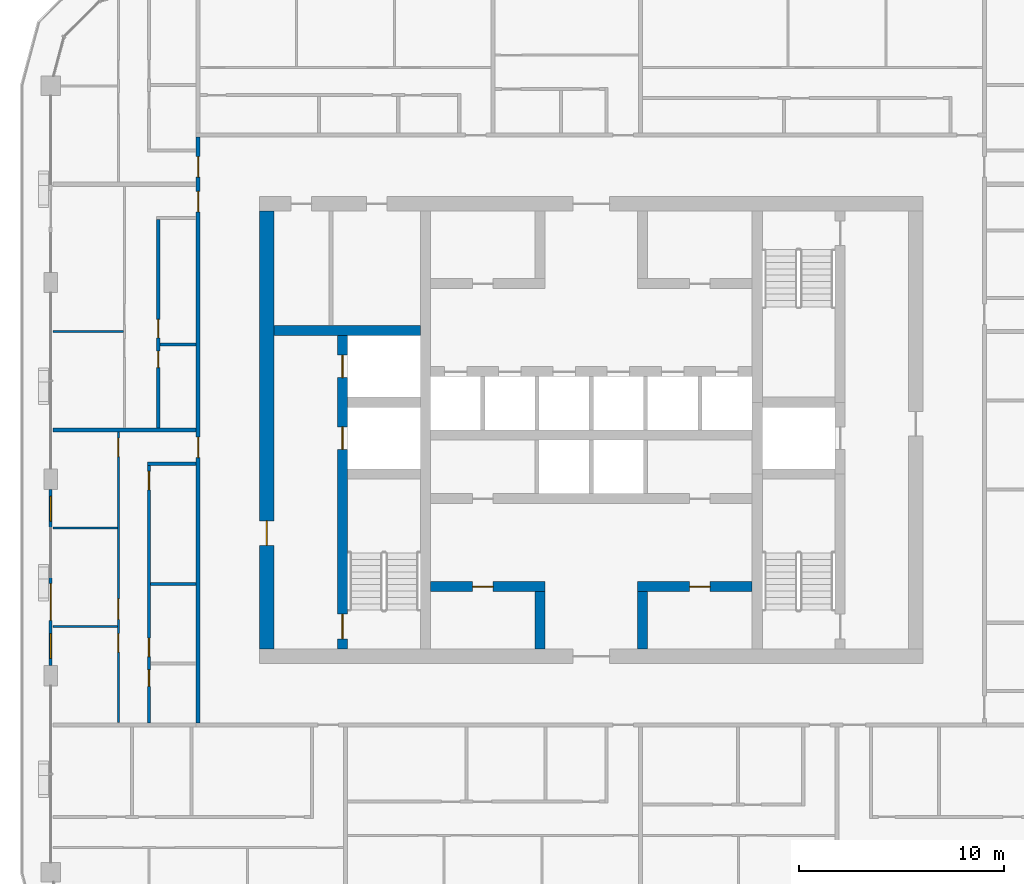
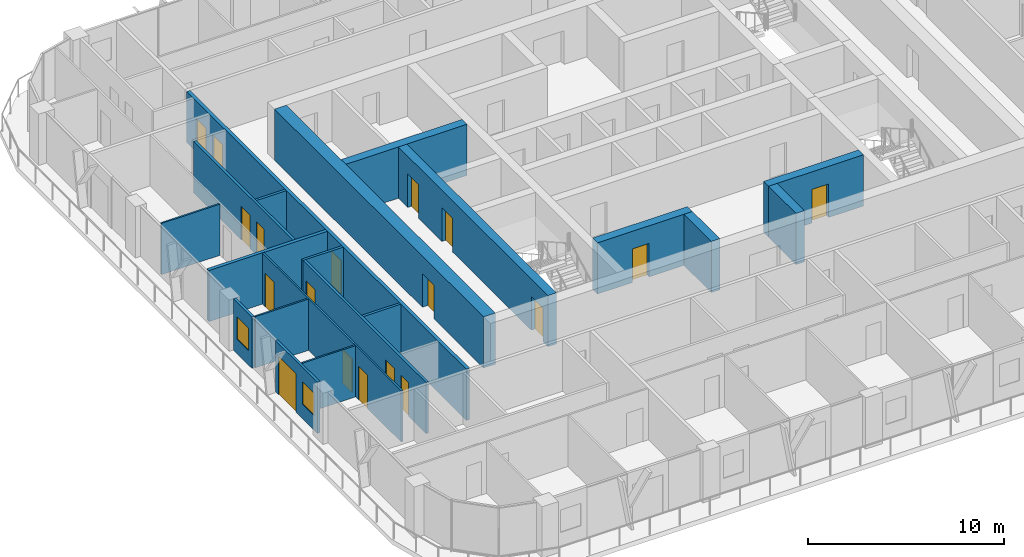
# One storey, part 10 of 21: 20 walls, 18 doors, 2 windows, 20 openings.
"""IFC4 building model written with IfcOpenShell, lengths in metres."""

import ifcopenshell
import ifcopenshell.guid

model = None  # the IFC model being written
_history = None  # IfcOwnerHistory: only IFC2X3 demands one
_inside = {}  # id of a spatial element -> (the spatial element, [elements in it])
_under = {}  # id of a project, library or spatial element -> (it, [spatial elements below it])
_declared = {}  # id of a project -> (the project, [libraries it declares])
_typed = {}  # id of a type object -> (the type object, [elements of that type])
_made_of = {}  # id of a material, layer set ... -> (it, [elements and type objects made of it])


def new_model(schema):
    """Start an empty IFC model of exactly this schema.

    Asked for "IFC4X3", IfcOpenShell would pick the latest addendum, in which some entities
    have other attributes; the version numbers below select the first issue.
    IFC2X3 requires an IfcOwnerHistory on every rooted entity: one is made here for all.
    """
    global model, _history
    if schema == "IFC4X3":
        model = ifcopenshell.file(schema_version=(4, 3, 0, 0))
    else:
        model = ifcopenshell.file(schema=schema)
    _inside.clear()
    _under.clear()
    _declared.clear()
    _typed.clear()
    _made_of.clear()
    _history = None
    if model.schema == "IFC2X3":
        org = make("IfcOrganization", Name="unknown")
        user = make(
            "IfcPersonAndOrganization",
            ThePerson=make("IfcPerson", FamilyName="unknown"),
            TheOrganization=org,
        )
        app = make(
            "IfcApplication",
            ApplicationDeveloper=org,
            Version="unknown",
            ApplicationFullName="unknown",
            ApplicationIdentifier="unknown",
        )
        _history = make(
            "IfcOwnerHistory",
            OwningUser=user,
            OwningApplication=app,
            ChangeAction="ADDED",
            CreationDate=0,
        )
    return model


def make(cls, **values):
    """One entity of the class cls with the attributes given. An attribute that is None is left unset."""
    return model.create_entity(
        cls, **{name: value for name, value in values.items() if value is not None}
    )


def rooted(cls, **values):
    """An entity with a GlobalId (a new one), such as an element, a storey or a relation."""
    return make(cls, GlobalId=ifcopenshell.guid.new(), OwnerHistory=_history, **values)


def si_unit(unit_type, name, prefix=None):
    """IfcSIUnit, for example si_unit("LENGTHUNIT", "METRE", prefix="MILLI")."""
    return make("IfcSIUnit", UnitType=unit_type, Prefix=prefix, Name=name)


def assignment(units):
    """IfcUnitAssignment: the units of a project."""
    return None if units is None else make("IfcUnitAssignment", Units=units)


def point(xyz):
    """IfcCartesianPoint."""
    return None if xyz is None else make("IfcCartesianPoint", Coordinates=xyz)


def direction(xyz):
    """IfcDirection."""
    return None if xyz is None else make("IfcDirection", DirectionRatios=xyz)


def frame(location, z_axis=None, x_axis=None):
    """IfcAxis2Placement3D, a coordinate frame: its origin and axes. An axis left out is left unset."""
    return make(
        "IfcAxis2Placement3D",
        Location=point(location),
        Axis=direction(z_axis),
        RefDirection=direction(x_axis),
    )


def frame_2d(location, x_axis=None):
    """IfcAxis2Placement2D, a coordinate frame in the plane: its origin and x axis."""
    return make(
        "IfcAxis2Placement2D", Location=point(location), RefDirection=direction(x_axis)
    )


def origin():
    """The frame at (0, 0, 0) with its axes left unset."""
    return frame((0.0, 0.0, 0.0))


def place(relative_to, where):
    """IfcLocalPlacement: puts the frame where relative to a parent placement (None: the world)."""
    return make(
        "IfcLocalPlacement", PlacementRelTo=relative_to, RelativePlacement=where
    )


def context(
    kind, dimensions, precision=None, world=None, true_north=None, identifier=None
):
    """IfcGeometricRepresentationContext, for example the 3D "Model" context."""
    return make(
        "IfcGeometricRepresentationContext",
        ContextIdentifier=identifier,
        ContextType=kind,
        CoordinateSpaceDimension=dimensions,
        Precision=precision,
        WorldCoordinateSystem=world,
        TrueNorth=true_north,
    )


def subcontext(parent, identifier, kind, view, scale=None):
    """IfcGeometricRepresentationSubContext, for example "Body" below "Model"."""
    return make(
        "IfcGeometricRepresentationSubContext",
        ContextIdentifier=identifier,
        ContextType=kind,
        ParentContext=parent,
        TargetScale=scale,
        TargetView=view,
    )


def project(units=None, contexts=None):
    """IfcProject with its units and contexts."""
    return rooted(
        "IfcProject",
        Name="project",
        RepresentationContexts=contexts,
        UnitsInContext=assignment(units),
    )


def spatial(cls, under=None, at=None, **own):
    """A site, building, storey or space (cls), placed at a placement, below another one or the project."""
    s = rooted(cls, ObjectPlacement=at, **own)
    if under is not None:
        _under.setdefault(under.id(), (under, []))[1].append(s)
    return s


def profile(cls, at=None, kind="AREA", **sizes):
    """A parametric profile (cls). Its sizes go by their IFC names, for example OverallWidth=200.0."""
    return make(cls, ProfileType=kind, Position=at, **sizes)


def rectangle(**sizes):
    """IfcRectangleProfileDef."""
    return profile("IfcRectangleProfileDef", **sizes)


def extrude(swept, where, along, depth):
    """IfcExtrudedAreaSolid: the profile swept, set in the frame where, extruded along a direction by depth."""
    return make(
        "IfcExtrudedAreaSolid",
        SweptArea=swept,
        Position=where,
        ExtrudedDirection=direction(along),
        Depth=depth,
    )


def shape(context_of_items, identifier, shape_type, items):
    """IfcShapeRepresentation: the items that make up one representation, for example the "Body"."""
    return make(
        "IfcShapeRepresentation",
        ContextOfItems=context_of_items,
        RepresentationIdentifier=identifier,
        RepresentationType=shape_type,
        Items=items,
    )


def material(Name=None, Category=None):
    """IfcMaterial."""
    return make("IfcMaterial", Name=Name, Category=Category)


def layer(
    of_material, thickness, ventilated=None, Name=None, Category=None, Priority=None
):
    """IfcMaterialLayer: one layer of a wall or slab, of a material (None: an air gap)."""
    return make(
        "IfcMaterialLayer",
        Material=of_material,
        LayerThickness=thickness,
        IsVentilated=ventilated,
        Name=Name,
        Category=Category,
        Priority=Priority,
    )


def layer_set(layers, Name=None):
    """IfcMaterialLayerSet."""
    return make("IfcMaterialLayerSet", MaterialLayers=layers, LayerSetName=Name)


def made_of(thing, what):
    """Note that an element or type object is made of a material, layer set ...; save() writes the relation."""
    if what is not None:
        _made_of.setdefault(what.id(), (what, []))[1].append(thing)
    return thing


def type_object(cls, material=None, **own):
    """A type object (cls), such as IfcWallType, which elements share."""
    return made_of(rooted(cls, **own), material)


def element(
    cls,
    number,
    at=None,
    inside=None,
    cuts=None,
    type_object=None,
    material=None,
    context=None,
    identifier="Body",
    shape_type=None,
    held_by="IfcProductDefinitionShape",
    body=None,
    shapes=None,
    **own,
):
    """One element of the class cls, such as IfcWall. Its Tag is "e" and its number.

    at: its placement. inside: the storey or other place that contains it. cuts: it is an
    opening in that element (IfcRelVoidsElement). A single representation is given by context,
    identifier, shape_type and body (its items); several are given by shapes. held_by: the class
    of the entity that holds the representations. save() writes the other relations.
    """
    e = rooted(cls, Tag="e%d" % number, ObjectPlacement=at, **own)
    if body is not None:
        shapes = [shape(context, identifier, shape_type, body)]
    if shapes is not None:
        e.Representation = make(held_by, Representations=shapes)
    if inside is not None:
        _inside.setdefault(inside.id(), (inside, []))[1].append(e)
    if cuts is not None:
        rooted(
            "IfcRelVoidsElement", RelatingBuildingElement=cuts, RelatedOpeningElement=e
        )
    if type_object is not None:
        _typed.setdefault(type_object.id(), (type_object, []))[1].append(e)
    return made_of(e, material)


def fill(opening, filler):
    """IfcRelFillsElement: the door or window that sits in an opening."""
    return rooted(
        "IfcRelFillsElement",
        RelatingOpeningElement=opening,
        RelatedBuildingElement=filler,
    )


def aggregate(whole, parts):
    """IfcRelAggregates: a whole, such as a stair, and the parts it consists of."""
    return rooted("IfcRelAggregates", RelatingObject=whole, RelatedObjects=parts)


def save(model, path):
    """Write the relations noted so far, then the file.

    IfcRelAggregates (storeys below a building ...), IfcRelContainedInSpatialStructure (elements
    in a storey), IfcRelDefinesByType, IfcRelAssociatesMaterial and IfcRelDeclares: one each for
    every whole, place, type object, material and project.
    """
    for whole, parts in _under.values():
        aggregate(whole, parts)
    for where, things in _inside.values():
        rooted(
            "IfcRelContainedInSpatialStructure",
            RelatedElements=things,
            RelatingStructure=where,
        )
    for kind, things in _typed.values():
        rooted("IfcRelDefinesByType", RelatedObjects=things, RelatingType=kind)
    for what, things in _made_of.values():
        rooted("IfcRelAssociatesMaterial", RelatedObjects=things, RelatingMaterial=what)
    for by, libraries in _declared.values():
        rooted("IfcRelDeclares", RelatingContext=by, RelatedDefinitions=libraries)
    model.write(path)


model = new_model("IFC4")

# Units and contexts
model_context = context("Model", 3, precision=1e-05, world=origin(), true_north=direction((0.0, 1.0)))
body_context = subcontext(model_context, "Body", "Model", "MODEL_VIEW")
ifc_project = project(units=[si_unit("LENGTHUNIT", "METRE"), si_unit("AREAUNIT", "SQUARE_METRE"), si_unit("VOLUMEUNIT", "CUBIC_METRE"), si_unit("PLANEANGLEUNIT", "RADIAN"), si_unit("MASSUNIT", "GRAM", prefix="KILO")], contexts=[model_context])

# Site, building, storey
site_placement = place(None, origin())
site = spatial("IfcSite", under=ifc_project, at=site_placement, CompositionType="ELEMENT")
building_placement = place(site_placement, origin())
building = spatial("IfcBuilding", under=site, at=building_placement, Name="Madar Terraces", CompositionType="ELEMENT")
storey_placement = place(building_placement, frame((0.0, 0.0, 185.89990234375)))
storey = spatial("IfcBuildingStorey", under=building, at=storey_placement, Name="L48", CompositionType="ELEMENT", Elevation=185.89990234375)

# Wall, openings, doors
ifc_material_1 = material(Name="Concrete C60/75", Category="concrete")
ifc_layer_1 = layer(ifc_material_1, 0.5)
ifc_layer_set_1 = layer_set([ifc_layer_1], Name="Concrete C60/75 (CIW4 RC wall 500)")
wall_type_1 = type_object("IfcWallType", Name="CIW4 RC wall 500", PredefinedType="SHEAR", material=ifc_layer_set_1)
wall_1_placement = place(storey_placement, frame((19.050048828125, 15.699951171875, 0.0), z_axis=(0.0, 0.0, 1.0), x_axis=(0.0, 1.0, 0.0)))
wall_1 = element("IfcWall", 1, at=wall_1_placement, inside=storey, type_object=wall_type_1, Name="CORE SHAFT WALL", PredefinedType="SHEAR", context=body_context, shape_type="SweptSolid", body=[
    extrude(rectangle(XDim=15.300048828125, YDim=0.5, at=frame_2d((7.64990234375, 0.0))), origin(), (0.0, 0.0, 1.0), 3.2001953125),
])
opening_1_placement = place(wall_1_placement, frame((9.75, 0.0, 0.0)))
opening_1 = element("IfcOpeningElement", 2, at=opening_1_placement, cuts=wall_1, Name="Opening LD", PredefinedType="OPENING", context=body_context, shape_type="SweptSolid", body=[
    extrude(rectangle(XDim=1.10009765625, YDim=2.10009765625, at=frame_2d((0.550048828125, 1.050048828125))), frame((0.0, 0.260009765625, 0.0), z_axis=(0.0, -1.0, 0.0), x_axis=(1.0, 0.0, 0.0)), (0.0, 0.0, 1.0), 0.52001953125),
])
opening_2_placement = place(wall_1_placement, frame((13.25, 0.0, 0.0)))
opening_2 = element("IfcOpeningElement", 3, at=opening_2_placement, cuts=wall_1, Name="Opening LD", PredefinedType="OPENING", context=body_context, shape_type="SweptSolid", body=[
    extrude(rectangle(XDim=1.10009765625, YDim=2.10009765625, at=frame_2d((0.550048828125, 1.050048828125))), frame((0.0, 0.260009765625, 0.0), z_axis=(0.0, -1.0, 0.0), x_axis=(1.0, 0.0, 0.0)), (0.0, 0.0, 1.0), 0.52001953125),
])
opening_3_placement = place(wall_1_placement, frame((0.5, 0.0, 0.0)))
opening_3 = element("IfcOpeningElement", 4, at=opening_3_placement, cuts=wall_1, Name="Opening SD1", PredefinedType="OPENING", context=body_context, shape_type="SweptSolid", body=[
    extrude(rectangle(XDim=1.199951171875, YDim=2.10009765625, at=frame_2d((0.60009765625, 1.050048828125))), frame((0.0, 0.260009765625, 0.0), z_axis=(0.0, -1.0, 0.0), x_axis=(1.0, 0.0, 0.0)), (0.0, 0.0, 1.0), 0.52001953125),
])
ifc_material_2 = material(Name="Stainless steel panel", Category="steel")
door_type_1 = type_object("IfcDoorType", Name="Lift landing door 1100 x 2100", OperationType="DOUBLE_DOOR_SLIDING", PredefinedType="DOOR", material=ifc_material_2)
door_1_placement = place(opening_1_placement, origin())
door_1 = element("IfcDoor", 5, at=door_1_placement, inside=storey, type_object=door_type_1, Name="LIFT LANDING DOOR", OperationType="DOUBLE_DOOR_SLIDING", OverallHeight=2.10009765625, OverallWidth=1.10009765625, PredefinedType="DOOR", context=body_context, shape_type="SweptSolid", body=[
    extrude(rectangle(XDim=1.10009765625, YDim=2.10009765625, at=frame_2d((0.550048828125, 1.050048828125))), frame((0.0, 0.02490234375, 0.0), z_axis=(0.0, -1.0, 0.0), x_axis=(1.0, 0.0, 0.0)), (0.0, 0.0, 1.0), 0.050048828125),
])
fill(opening_1, door_1)
door_2_placement = place(opening_2_placement, origin())
door_2 = element("IfcDoor", 6, at=door_2_placement, inside=storey, type_object=door_type_1, Name="LIFT LANDING DOOR", OperationType="DOUBLE_DOOR_SLIDING", OverallHeight=2.10009765625, OverallWidth=1.10009765625, PredefinedType="DOOR", context=body_context, shape_type="SweptSolid", body=[
    extrude(rectangle(XDim=1.10009765625, YDim=2.10009765625, at=frame_2d((0.550048828125, 1.050048828125))), frame((0.0, 0.02490234375, 0.0), z_axis=(0.0, -1.0, 0.0), x_axis=(1.0, 0.0, 0.0)), (0.0, 0.0, 1.0), 0.050048828125),
])
fill(opening_2, door_2)
ifc_material_3 = material(Name="Steel door leaf", Category="steel")
door_type_2 = type_object("IfcDoorType", Name="Stair door 1200 x 2100", OperationType="NOTDEFINED", PredefinedType="DOOR", material=ifc_material_3)
door_3_placement = place(opening_3_placement, frame((1.199951171875, 0.0, 0.0), z_axis=(0.0, 0.0, 1.0), x_axis=(-1.0, 0.0, 0.0)))
door_3 = element("IfcDoor", 7, at=door_3_placement, inside=storey, type_object=door_type_2, Name="STAIR DOOR", OperationType="SINGLE_SWING_RIGHT", OverallHeight=2.10009765625, OverallWidth=1.199951171875, PredefinedType="DOOR", context=body_context, shape_type="SweptSolid", body=[
    extrude(rectangle(XDim=1.199951171875, YDim=2.10009765625, at=frame_2d((0.60009765625, 1.050048828125))), frame((0.0, 0.02490234375, 0.0), z_axis=(0.0, -1.0, 0.0), x_axis=(1.0, 0.0, 0.0)), (0.0, 0.0, 1.0), 0.050048828125),
])
fill(opening_3, door_3)

# Wall
wall_2_placement = place(storey_placement, frame((15.699951171875, 31.25, 0.0), z_axis=(0.0, 0.0, 1.0), x_axis=(1.0, 0.0, 0.0)))
element("IfcWall", 8, at=wall_2_placement, inside=storey, type_object=wall_type_1, Name="CORE SHAFT WALL", PredefinedType="SHEAR", context=body_context, shape_type="SweptSolid", body=[
    extrude(rectangle(XDim=7.150146484375, YDim=0.5, at=frame_2d((3.5751953125, 0.0))), origin(), (0.0, 0.0, 1.0), 3.2001953125),
])

# Wall, opening, door
wall_3_placement = place(storey_placement, frame((23.35009765625, 18.75, 0.0), z_axis=(0.0, 0.0, 1.0), x_axis=(1.0, 0.0, 0.0)))
wall_3 = element("IfcWall", 9, at=wall_3_placement, inside=storey, type_object=wall_type_1, Name="CORE SHAFT WALL", PredefinedType="SHEAR", context=body_context, shape_type="SweptSolid", body=[
    extrude(rectangle(XDim=5.599853515625, YDim=0.5, at=frame_2d((2.7998046875, 0.0))), origin(), (0.0, 0.0, 1.0), 3.2001953125),
])
opening_4_placement = place(wall_3_placement, frame((2.050048828125, 0.0, 0.0)))
opening_4 = element("IfcOpeningElement", 10, at=opening_4_placement, cuts=wall_3, Name="Opening KD2", PredefinedType="OPENING", context=body_context, shape_type="SweptSolid", body=[
    extrude(rectangle(XDim=1.0, YDim=2.10009765625, at=frame_2d((0.5, 1.050048828125))), frame((0.0, 0.260009765625, 0.0), z_axis=(0.0, -1.0, 0.0), x_axis=(1.0, 0.0, 0.0)), (0.0, 0.0, 1.0), 0.52001953125),
])
ifc_material_4 = material(Name="Steel door leaf", Category="steel")
door_type_3 = type_object("IfcDoorType", Name="Service room door 1000 x 2100", OperationType="NOTDEFINED", PredefinedType="DOOR", material=ifc_material_4)
door_4_placement = place(opening_4_placement, origin())
door_4 = element("IfcDoor", 11, at=door_4_placement, inside=storey, type_object=door_type_3, Name="SERVICE ROOM DOOR", OperationType="SINGLE_SWING_LEFT", OverallHeight=2.10009765625, OverallWidth=1.0, PredefinedType="DOOR", context=body_context, shape_type="SweptSolid", body=[
    extrude(rectangle(XDim=1.0, YDim=2.10009765625, at=frame_2d((0.5, 1.050048828125))), frame((0.0, 0.02490234375, 0.0), z_axis=(0.0, -1.0, 0.0), x_axis=(1.0, 0.0, 0.0)), (0.0, 0.0, 1.0), 0.050048828125),
])
fill(opening_4, door_4)

wall_4_placement = place(storey_placement, frame((33.449951171875, 18.75, 0.0), z_axis=(0.0, 0.0, 1.0), x_axis=(1.0, 0.0, 0.0)))
wall_4 = element("IfcWall", 12, at=wall_4_placement, inside=storey, type_object=wall_type_1, Name="CORE SHAFT WALL", PredefinedType="SHEAR", context=body_context, shape_type="SweptSolid", body=[
    extrude(rectangle(XDim=5.60009765625, YDim=0.5, at=frame_2d((2.800048828125, 0.0))), origin(), (0.0, 0.0, 1.0), 3.2001953125),
])
opening_5_placement = place(wall_4_placement, frame((2.550048828125, 0.0, 0.0)))
opening_5 = element("IfcOpeningElement", 13, at=opening_5_placement, cuts=wall_4, Name="Opening KD2", PredefinedType="OPENING", context=body_context, shape_type="SweptSolid", body=[
    extrude(rectangle(XDim=1.0, YDim=2.10009765625, at=frame_2d((0.5, 1.050048828125))), frame((0.0, 0.260009765625, 0.0), z_axis=(0.0, -1.0, 0.0), x_axis=(1.0, 0.0, 0.0)), (0.0, 0.0, 1.0), 0.52001953125),
])
door_5_placement = place(opening_5_placement, origin())
door_5 = element("IfcDoor", 14, at=door_5_placement, inside=storey, type_object=door_type_3, Name="SERVICE ROOM DOOR", OperationType="SINGLE_SWING_RIGHT", OverallHeight=2.10009765625, OverallWidth=1.0, PredefinedType="DOOR", context=body_context, shape_type="SweptSolid", body=[
    extrude(rectangle(XDim=1.0, YDim=2.10009765625, at=frame_2d((0.5, 1.050048828125))), frame((0.0, 0.02490234375, 0.0), z_axis=(0.0, -1.0, 0.0), x_axis=(1.0, 0.0, 0.0)), (0.0, 0.0, 1.0), 0.050048828125),
])
fill(opening_5, door_5)

# Walls
for number, where, z_axis, x_axis, name in (
    (15, (28.699951171875, 15.699951171875, 0.0), (0.0, 0.0, 1.0), (0.0, 1.0, 0.0), "CORE SHAFT WALL"),
    (16, (33.699951171875, 15.699951171875, 0.0), (0.0, 0.0, 1.0), (0.0, 1.0, 0.0), "CORE SHAFT WALL"),
):
    element("IfcWall", number, at=place(storey_placement, frame(where, z_axis=z_axis, x_axis=x_axis)), inside=storey, type_object=wall_type_1, Name=name, PredefinedType="SHEAR", context=body_context, shape_type="SweptSolid", body=[
        extrude(rectangle(XDim=2.800048828125, YDim=0.5, at=frame_2d((1.39990234375, 0.0))), origin(), (0.0, 0.0, 1.0), 3.2001953125),
    ])

# Wall, opening, door
ifc_material_5 = material(Name="Concrete C60/75", Category="concrete")
ifc_layer_2 = layer(ifc_material_5, 0.699951171875)
ifc_layer_set_2 = layer_set([ifc_layer_2], Name="Concrete C60/75 (CRW4 RC wall 700)")
wall_type_2 = type_object("IfcWallType", Name="CRW4 RC wall 700", PredefinedType="SHEAR", material=ifc_layer_set_2)
wall_5_placement = place(storey_placement, frame((15.35009765625, 15.699951171875, 0.0), z_axis=(0.0, 0.0, 1.0), x_axis=(0.0, 1.0, 0.0)))
wall_5 = element("IfcWall", 17, at=wall_5_placement, inside=storey, type_object=wall_type_2, Name="CORE OUTER WALL", PredefinedType="SHEAR", context=body_context, shape_type="SweptSolid", body=[
    extrude(rectangle(XDim=21.400146484375, YDim=0.699951171875, at=frame_2d((10.7001953125, 0.0))), origin(), (0.0, 0.0, 1.0), 3.2001953125),
])
opening_6_placement = place(wall_5_placement, frame((5.06005859375, 0.0, 0.0)))
opening_6 = element("IfcOpeningElement", 18, at=opening_6_placement, cuts=wall_5, Name="Opening SD1", PredefinedType="OPENING", context=body_context, shape_type="SweptSolid", body=[
    extrude(rectangle(XDim=1.199951171875, YDim=2.10009765625, at=frame_2d((0.60009765625, 1.050048828125))), frame((0.0, 0.35986328125, 0.0), z_axis=(0.0, -1.0, 0.0), x_axis=(1.0, 0.0, 0.0)), (0.0, 0.0, 1.0), 0.719970703125),
])
door_6_placement = place(opening_6_placement, frame((1.199951171875, 0.0, 0.0), z_axis=(0.0, 0.0, 1.0), x_axis=(-1.0, 0.0, 0.0)))
door_6 = element("IfcDoor", 19, at=door_6_placement, inside=storey, type_object=door_type_2, Name="STAIR DOOR", OperationType="SINGLE_SWING_LEFT", OverallHeight=2.10009765625, OverallWidth=1.199951171875, PredefinedType="DOOR", context=body_context, shape_type="SweptSolid", body=[
    extrude(rectangle(XDim=1.199951171875, YDim=2.10009765625, at=frame_2d((0.60009765625, 1.050048828125))), frame((0.0, 0.02490234375, 0.0), z_axis=(0.0, -1.0, 0.0), x_axis=(1.0, 0.0, 0.0)), (0.0, 0.0, 1.0), 0.050048828125),
])
fill(opening_6, door_6)

# Wall, opening, window
ifc_material_6 = material(Name="Aluminium composite panel, black, over insulated backing", Category="aluminium")
ifc_layer_3 = layer(ifc_material_6, 0.14990234375)
ifc_layer_set_3 = layer_set([ifc_layer_3], Name="Facade bay panel 150")
wall_type_3 = type_object("IfcWallType", Name="Facade bay panel 150", PredefinedType="SOLIDWALL", material=ifc_layer_set_3)
wall_6_placement = place(storey_placement, frame((4.800048828125, 23.5, 0.0), z_axis=(0.0, 0.0, 1.0), x_axis=(0.0, -1.0, 0.0)))
wall_6 = element("IfcWall", 20, at=wall_6_placement, inside=storey, type_object=wall_type_3, Name="Facade bay panel", PredefinedType="SOLIDWALL", context=body_context, shape_type="SweptSolid", body=[
    extrude(rectangle(XDim=1.89990234375, YDim=0.14990234375, at=frame_2d((0.949951171875, 0.0))), origin(), (0.0, 0.0, 1.0), 3.2001953125),
])
opening_7_placement = place(wall_6_placement, frame((0.35009765625, 0.0, 0.89990234375)))
opening_7 = element("IfcOpeningElement", 21, at=opening_7_placement, cuts=wall_6, Name="Opening W1", PredefinedType="OPENING", context=body_context, shape_type="SweptSolid", body=[
    extrude(rectangle(XDim=1.199951171875, YDim=1.39990234375, at=frame_2d((0.60009765625, 0.699951171875))), frame((0.0, 0.0849609375, 0.0), z_axis=(0.0, -1.0, 0.0), x_axis=(1.0, 0.0, 0.0)), (0.0, 0.0, 1.0), 0.169921875),
])
ifc_material_7 = material(Name="Glass, clear, with black aluminium frame", Category="aluminium")
window_type = type_object("IfcWindowType", Name="Vent window 1200 x 1400", PartitioningType="SINGLE_PANEL", PredefinedType="WINDOW", material=ifc_material_7)
window_1_placement = place(opening_7_placement, origin())
window_1 = element("IfcWindow", 22, at=window_1_placement, inside=storey, type_object=window_type, Name="Operable vent window", OverallHeight=1.39990234375, OverallWidth=1.199951171875, PartitioningType="SINGLE_PANEL", PredefinedType="WINDOW", context=body_context, shape_type="SweptSolid", body=[
    extrude(rectangle(XDim=1.199951171875, YDim=1.39990234375, at=frame_2d((0.60009765625, 0.699951171875))), frame((0.0, 0.030029296875, 0.0), z_axis=(0.0, -1.0, 0.0), x_axis=(1.0, 0.0, 0.0)), (0.0, 0.0, 1.0), 0.06005859375),
])
fill(opening_7, window_1)

# Wall, openings, door, window
wall_7_placement = place(storey_placement, frame((4.800048828125, 19.199951171875, 0.0), z_axis=(0.0, 0.0, 1.0), x_axis=(0.0, -1.0, 0.0)))
wall_7 = element("IfcWall", 23, at=wall_7_placement, inside=storey, type_object=wall_type_3, Name="Facade bay panel", PredefinedType="SOLIDWALL", context=body_context, shape_type="SweptSolid", body=[
    extrude(rectangle(XDim=4.300048828125, YDim=0.14990234375, at=frame_2d((2.14990234375, 0.0))), origin(), (0.0, 0.0, 1.0), 3.2001953125),
])
opening_8_placement = place(wall_7_placement, frame((0.300048828125, 0.0, 0.0)))
opening_8 = element("IfcOpeningElement", 24, at=opening_8_placement, cuts=wall_7, Name="Opening ED1", PredefinedType="OPENING", context=body_context, shape_type="SweptSolid", body=[
    extrude(rectangle(XDim=1.800048828125, YDim=2.39990234375, at=frame_2d((0.89990234375, 1.199951171875))), frame((0.0, 0.0849609375, 0.0), z_axis=(0.0, -1.0, 0.0), x_axis=(1.0, 0.0, 0.0)), (0.0, 0.0, 1.0), 0.169921875),
])
opening_9_placement = place(wall_7_placement, frame((2.75, 0.0, 0.89990234375)))
opening_9 = element("IfcOpeningElement", 25, at=opening_9_placement, cuts=wall_7, Name="Opening W1", PredefinedType="OPENING", context=body_context, shape_type="SweptSolid", body=[
    extrude(rectangle(XDim=1.199951171875, YDim=1.39990234375, at=frame_2d((0.60009765625, 0.699951171875))), frame((0.0, 0.0849609375, 0.0), z_axis=(0.0, -1.0, 0.0), x_axis=(1.0, 0.0, 0.0)), (0.0, 0.0, 1.0), 0.169921875),
])
ifc_material_8 = material(Name="Glass, clear, with black aluminium frame", Category="aluminium")
door_type_4 = type_object("IfcDoorType", Name="Balcony and terrace sliding door 1800 x 2400", OperationType="SLIDING_TO_LEFT", PredefinedType="DOOR", material=ifc_material_8)
door_7_placement = place(opening_8_placement, origin())
door_7 = element("IfcDoor", 26, at=door_7_placement, inside=storey, type_object=door_type_4, Name="Balcony door", OperationType="SLIDING_TO_LEFT", OverallHeight=2.39990234375, OverallWidth=1.800048828125, PredefinedType="DOOR", context=body_context, shape_type="SweptSolid", body=[
    extrude(rectangle(XDim=1.800048828125, YDim=2.39990234375, at=frame_2d((0.89990234375, 1.199951171875))), frame((0.0, 0.02490234375, 0.0), z_axis=(0.0, -1.0, 0.0), x_axis=(1.0, 0.0, 0.0)), (0.0, 0.0, 1.0), 0.050048828125),
])
fill(opening_8, door_7)
window_2_placement = place(opening_9_placement, origin())
window_2 = element("IfcWindow", 27, at=window_2_placement, inside=storey, type_object=window_type, Name="Operable vent window", OverallHeight=1.39990234375, OverallWidth=1.199951171875, PartitioningType="SINGLE_PANEL", PredefinedType="WINDOW", context=body_context, shape_type="SweptSolid", body=[
    extrude(rectangle(XDim=1.199951171875, YDim=1.39990234375, at=frame_2d((0.60009765625, 0.699951171875))), frame((0.0, 0.030029296875, 0.0), z_axis=(0.0, -1.0, 0.0), x_axis=(1.0, 0.0, 0.0)), (0.0, 0.0, 1.0), 0.06005859375),
])
fill(opening_9, window_2)

# Walls
ifc_material_9 = material(Name="Gypsum board on steel studs", Category="steel")
ifc_layer_4 = layer(ifc_material_9, 0.10009765625)
ifc_layer_set_4 = layer_set([ifc_layer_4], Name="Flat partition 100")
wall_type_4 = type_object("IfcWallType", Name="Flat partition 100", PredefinedType="PARTITIONING", material=ifc_layer_set_4)
wall_8_placement = place(storey_placement, frame((8.35009765625, 31.199951171875, 0.0), z_axis=(0.0, 0.0, 1.0), x_axis=(-1.0, 0.0, 0.0)))
element("IfcWall", 28, at=wall_8_placement, inside=storey, type_object=wall_type_4, Name="Flat partition 100", PredefinedType="PARTITIONING", context=body_context, shape_type="SweptSolid", body=[
    extrude(rectangle(XDim=3.4501953125, YDim=0.10009765625, at=frame_2d((1.72509765625, 0.0))), origin(), (0.0, 0.0, 1.0), 3.2001953125),
])
for number, where, z_axis, x_axis, name in (
    (29, (8.050048828125, 21.60009765625, 0.0), (0.0, 0.0, 1.0), (-1.0, 0.0, 0.0), "Flat partition 100"),
    (30, (8.050048828125, 16.800048828125, 0.0), (0.0, 0.0, 1.0), (-1.0, 0.0, 0.0), "Flat partition 100"),
):
    element("IfcWall", number, at=place(storey_placement, frame(where, z_axis=z_axis, x_axis=x_axis)), inside=storey, type_object=wall_type_4, Name=name, PredefinedType="PARTITIONING", context=body_context, shape_type="SweptSolid", body=[
        extrude(rectangle(XDim=3.150146484375, YDim=0.10009765625, at=frame_2d((1.5751953125, 0.0))), origin(), (0.0, 0.0, 1.0), 3.2001953125),
    ])

# Wall, openings, doors
wall_9_placement = place(storey_placement, frame((8.10009765625, 12.10009765625, 0.0), z_axis=(0.0, 0.0, 1.0), x_axis=(0.0, 1.0, 0.0)))
wall_9 = element("IfcWall", 31, at=wall_9_placement, inside=storey, type_object=wall_type_4, Name="Flat partition 100", PredefinedType="PARTITIONING", context=body_context, shape_type="SweptSolid", body=[
    extrude(rectangle(XDim=14.199951171875, YDim=0.10009765625, at=frame_2d((7.10009765625, 0.0))), origin(), (0.0, 0.0, 1.0), 3.2001953125),
])
opening_10_placement = place(wall_9_placement, frame((13.0, 0.0, 0.0)))
opening_10 = element("IfcOpeningElement", 32, at=opening_10_placement, cuts=wall_9, Name="Opening D2", PredefinedType="OPENING", context=body_context, shape_type="SweptSolid", body=[
    extrude(rectangle(XDim=0.89990234375, YDim=2.10009765625, at=frame_2d((0.449951171875, 1.050048828125))), frame((0.0, 0.06005859375, 0.0), z_axis=(0.0, -1.0, 0.0), x_axis=(1.0, 0.0, 0.0)), (0.0, 0.0, 1.0), 0.1201171875),
])
opening_11_placement = place(wall_9_placement, frame((5.050048828125, 0.0, 0.0)))
opening_11 = element("IfcOpeningElement", 33, at=opening_11_placement, cuts=wall_9, Name="Opening D3", PredefinedType="OPENING", context=body_context, shape_type="SweptSolid", body=[
    extrude(rectangle(XDim=1.0, YDim=2.10009765625, at=frame_2d((0.5, 1.050048828125))), frame((0.0, 0.06005859375, 0.0), z_axis=(0.0, -1.0, 0.0), x_axis=(1.0, 0.0, 0.0)), (0.0, 0.0, 1.0), 0.1201171875),
])
opening_12_placement = place(wall_9_placement, frame((3.449951171875, 0.0, 0.0)))
opening_12 = element("IfcOpeningElement", 34, at=opening_12_placement, cuts=wall_9, Name="Opening D2", PredefinedType="OPENING", context=body_context, shape_type="SweptSolid", body=[
    extrude(rectangle(XDim=0.89990234375, YDim=2.10009765625, at=frame_2d((0.449951171875, 1.050048828125))), frame((0.0, 0.06005859375, 0.0), z_axis=(0.0, -1.0, 0.0), x_axis=(1.0, 0.0, 0.0)), (0.0, 0.0, 1.0), 0.1201171875),
])
ifc_material_10 = material(Name="Timber door leaf", Category="wood")
door_type_5 = type_object("IfcDoorType", Name="Flat living room door 1000", OperationType="NOTDEFINED", PredefinedType="DOOR", material=ifc_material_10)
door_8_placement = place(opening_11_placement, origin())
door_8 = element("IfcDoor", 35, at=door_8_placement, inside=storey, type_object=door_type_5, Name="Flat living room door 1000", OperationType="SINGLE_SWING_LEFT", OverallHeight=2.10009765625, OverallWidth=1.0, PredefinedType="DOOR", context=body_context, shape_type="SweptSolid", body=[
    extrude(rectangle(XDim=1.0, YDim=2.10009765625, at=frame_2d((0.5, 1.050048828125))), frame((0.0, 0.02490234375, 0.0), z_axis=(0.0, -1.0, 0.0), x_axis=(1.0, 0.0, 0.0)), (0.0, 0.0, 1.0), 0.050048828125),
])
fill(opening_11, door_8)
ifc_material_11 = material(Name="Timber door leaf", Category="wood")
door_type_6 = type_object("IfcDoorType", Name="Flat room door 900", OperationType="NOTDEFINED", PredefinedType="DOOR", material=ifc_material_11)
door_9_placement = place(opening_10_placement, origin())
door_9 = element("IfcDoor", 36, at=door_9_placement, inside=storey, type_object=door_type_6, Name="Flat room door 900", OperationType="SINGLE_SWING_RIGHT", OverallHeight=2.10009765625, OverallWidth=0.89990234375, PredefinedType="DOOR", context=body_context, shape_type="SweptSolid", body=[
    extrude(rectangle(XDim=0.89990234375, YDim=2.10009765625, at=frame_2d((0.449951171875, 1.050048828125))), frame((0.0, 0.02490234375, 0.0), z_axis=(0.0, -1.0, 0.0), x_axis=(1.0, 0.0, 0.0)), (0.0, 0.0, 1.0), 0.050048828125),
])
fill(opening_10, door_9)
door_10_placement = place(opening_12_placement, origin())
door_10 = element("IfcDoor", 37, at=door_10_placement, inside=storey, type_object=door_type_6, Name="Flat room door 900", OperationType="SINGLE_SWING_RIGHT", OverallHeight=2.10009765625, OverallWidth=0.89990234375, PredefinedType="DOOR", context=body_context, shape_type="SweptSolid", body=[
    extrude(rectangle(XDim=0.89990234375, YDim=2.10009765625, at=frame_2d((0.449951171875, 1.050048828125))), frame((0.0, 0.02490234375, 0.0), z_axis=(0.0, -1.0, 0.0), x_axis=(1.0, 0.0, 0.0)), (0.0, 0.0, 1.0), 0.050048828125),
])
fill(opening_12, door_10)

ifc_material_12 = material(Name="Lightweight blockwork", Category="masonry")
ifc_layer_5 = layer(ifc_material_12, 0.199951171875)
ifc_layer_set_5 = layer_set([ifc_layer_5], Name="Flat party and entrance wall 200")
wall_type_5 = type_object("IfcWallType", Name="Flat party and entrance wall 200", PredefinedType="PARTITIONING", material=ifc_layer_set_5)
wall_10_placement = place(storey_placement, frame((12.0, 12.10009765625, 0.0), z_axis=(0.0, 0.0, 1.0), x_axis=(0.0, 1.0, 0.0)))
wall_10 = element("IfcWall", 38, at=wall_10_placement, inside=storey, type_object=wall_type_5, Name="Flat party and entrance wall 200", PredefinedType="PARTITIONING", context=body_context, shape_type="SweptSolid", body=[
    extrude(rectangle(XDim=28.599853515625, YDim=0.199951171875, at=frame_2d((14.2998046875, 0.0))), origin(), (0.0, 0.0, 1.0), 3.2001953125),
])
opening_13_placement = place(wall_10_placement, frame((26.64990234375, 0.0, 0.0)))
opening_13 = element("IfcOpeningElement", 39, at=opening_13_placement, cuts=wall_10, Name="Opening D1", PredefinedType="OPENING", context=body_context, shape_type="SweptSolid", body=[
    extrude(rectangle(XDim=1.0, YDim=2.10009765625, at=frame_2d((0.5, 1.050048828125))), frame((0.0, 0.10986328125, 0.0), z_axis=(0.0, -1.0, 0.0), x_axis=(1.0, 0.0, 0.0)), (0.0, 0.0, 1.0), 0.219970703125),
])
opening_14_placement = place(wall_10_placement, frame((24.949951171875, 0.0, 0.0)))
opening_14 = element("IfcOpeningElement", 40, at=opening_14_placement, cuts=wall_10, Name="Opening D1", PredefinedType="OPENING", context=body_context, shape_type="SweptSolid", body=[
    extrude(rectangle(XDim=1.0, YDim=2.10009765625, at=frame_2d((0.5, 1.050048828125))), frame((0.0, 0.10986328125, 0.0), z_axis=(0.0, -1.0, 0.0), x_axis=(1.0, 0.0, 0.0)), (0.0, 0.0, 1.0), 0.219970703125),
])
opening_15_placement = place(wall_10_placement, frame((12.949951171875, 0.0, 0.0)))
opening_15 = element("IfcOpeningElement", 41, at=opening_15_placement, cuts=wall_10, Name="Opening D1", PredefinedType="OPENING", context=body_context, shape_type="SweptSolid", body=[
    extrude(rectangle(XDim=1.0, YDim=2.10009765625, at=frame_2d((0.5, 1.050048828125))), frame((0.0, 0.10986328125, 0.0), z_axis=(0.0, -1.0, 0.0), x_axis=(1.0, 0.0, 0.0)), (0.0, 0.0, 1.0), 0.219970703125),
])
ifc_material_13 = material(Name="Timber fire door leaf", Category="wood")
door_type_7 = type_object("IfcDoorType", Name="Flat entrance door 1000 FD30S", OperationType="NOTDEFINED", PredefinedType="DOOR", material=ifc_material_13)
door_11_placement = place(opening_13_placement, origin())
door_11 = element("IfcDoor", 42, at=door_11_placement, inside=storey, type_object=door_type_7, Name="Flat entrance door 1000 FD30S", OperationType="SINGLE_SWING_LEFT", OverallHeight=2.10009765625, OverallWidth=1.0, PredefinedType="DOOR", context=body_context, shape_type="SweptSolid", body=[
    extrude(rectangle(XDim=1.0, YDim=2.10009765625, at=frame_2d((0.5, 1.050048828125))), frame((0.0, 0.02490234375, 0.0), z_axis=(0.0, -1.0, 0.0), x_axis=(1.0, 0.0, 0.0)), (0.0, 0.0, 1.0), 0.050048828125),
])
fill(opening_13, door_11)
door_12_placement = place(opening_14_placement, origin())
door_12 = element("IfcDoor", 43, at=door_12_placement, inside=storey, type_object=door_type_7, Name="Flat entrance door 1000 FD30S", OperationType="SINGLE_SWING_RIGHT", OverallHeight=2.10009765625, OverallWidth=1.0, PredefinedType="DOOR", context=body_context, shape_type="SweptSolid", body=[
    extrude(rectangle(XDim=1.0, YDim=2.10009765625, at=frame_2d((0.5, 1.050048828125))), frame((0.0, 0.02490234375, 0.0), z_axis=(0.0, -1.0, 0.0), x_axis=(1.0, 0.0, 0.0)), (0.0, 0.0, 1.0), 0.050048828125),
])
fill(opening_14, door_12)
door_13_placement = place(opening_15_placement, origin())
door_13 = element("IfcDoor", 44, at=door_13_placement, inside=storey, type_object=door_type_7, Name="Flat entrance door 1000 FD30S", OperationType="SINGLE_SWING_RIGHT", OverallHeight=2.10009765625, OverallWidth=1.0, PredefinedType="DOOR", context=body_context, shape_type="SweptSolid", body=[
    extrude(rectangle(XDim=1.0, YDim=2.10009765625, at=frame_2d((0.5, 1.050048828125))), frame((0.0, 0.02490234375, 0.0), z_axis=(0.0, -1.0, 0.0), x_axis=(1.0, 0.0, 0.0)), (0.0, 0.0, 1.0), 0.050048828125),
])
fill(opening_15, door_13)

# Walls
wall_11_placement = place(storey_placement, frame((4.89990234375, 26.39990234375, 0.0), z_axis=(0.0, 0.0, 1.0), x_axis=(1.0, 0.0, 0.0)))
element("IfcWall", 45, at=wall_11_placement, inside=storey, type_object=wall_type_5, Name="Flat party and entrance wall 200", PredefinedType="PARTITIONING", context=body_context, shape_type="SweptSolid", body=[
    extrude(rectangle(XDim=7.0, YDim=0.199951171875, at=frame_2d((3.5, 0.0))), origin(), (0.0, 0.0, 1.0), 3.2001953125),
])
ifc_material_14 = material(Name="Lightweight blockwork", Category="masonry")
ifc_layer_6 = layer(ifc_material_14, 0.14990234375)
ifc_layer_set_6 = layer_set([ifc_layer_6], Name="Flat wet-room partition 150")
wall_type_6 = type_object("IfcWallType", Name="Flat wet-room partition 150", PredefinedType="PARTITIONING", material=ifc_layer_set_6)
wall_12_placement = place(storey_placement, frame((11.89990234375, 30.570068359375, 0.0), z_axis=(0.0, 0.0, 1.0), x_axis=(-1.0, 0.0, 0.0)))
element("IfcWall", 46, at=wall_12_placement, inside=storey, type_object=wall_type_6, Name="Flat wet-room partition 150", PredefinedType="PARTITIONING", context=body_context, shape_type="SweptSolid", body=[
    extrude(rectangle(XDim=1.77490234375, YDim=0.14990234375, at=frame_2d((0.887451171875, 0.0))), origin(), (0.0, 0.0, 1.0), 3.2001953125),
])

# Wall, openings, doors
wall_13_placement = place(storey_placement, frame((10.050048828125, 36.675048828125, 0.0), z_axis=(0.0, 0.0, 1.0), x_axis=(0.0, -1.0, 0.0)))
wall_13 = element("IfcWall", 47, at=wall_13_placement, inside=storey, type_object=wall_type_6, Name="Flat wet-room partition 150", PredefinedType="PARTITIONING", context=body_context, shape_type="SweptSolid", body=[
    extrude(rectangle(XDim=10.175048828125, YDim=0.14990234375, at=frame_2d((5.08740234375, 0.0))), origin(), (0.0, 0.0, 1.0), 3.2001953125),
])
opening_16_placement = place(wall_13_placement, frame((4.8798828125, 0.0, 0.0)))
opening_16 = element("IfcOpeningElement", 48, at=opening_16_placement, cuts=wall_13, Name="Opening D2", PredefinedType="OPENING", context=body_context, shape_type="SweptSolid", body=[
    extrude(rectangle(XDim=0.89990234375, YDim=2.10009765625, at=frame_2d((0.449951171875, 1.050048828125))), frame((0.0, 0.0849609375, 0.0), z_axis=(0.0, -1.0, 0.0), x_axis=(1.0, 0.0, 0.0)), (0.0, 0.0, 1.0), 0.169921875),
])
opening_17_placement = place(wall_13_placement, frame((6.429931640625, 0.0, 0.0)))
opening_17 = element("IfcOpeningElement", 49, at=opening_17_placement, cuts=wall_13, Name="Opening D4", PredefinedType="OPENING", context=body_context, shape_type="SweptSolid", body=[
    extrude(rectangle(XDim=0.800048828125, YDim=2.10009765625, at=frame_2d((0.39990234375, 1.050048828125))), frame((0.0, 0.0849609375, 0.0), z_axis=(0.0, -1.0, 0.0), x_axis=(1.0, 0.0, 0.0)), (0.0, 0.0, 1.0), 0.169921875),
])
ifc_material_15 = material(Name="Timber door leaf", Category="wood")
door_type_8 = type_object("IfcDoorType", Name="Flat bathroom door 800", OperationType="NOTDEFINED", PredefinedType="DOOR", material=ifc_material_15)
door_14_placement = place(opening_17_placement, origin())
door_14 = element("IfcDoor", 50, at=door_14_placement, inside=storey, type_object=door_type_8, Name="Flat bathroom door 800", OperationType="SINGLE_SWING_LEFT", OverallHeight=2.10009765625, OverallWidth=0.800048828125, PredefinedType="DOOR", context=body_context, shape_type="SweptSolid", body=[
    extrude(rectangle(XDim=0.800048828125, YDim=2.10009765625, at=frame_2d((0.39990234375, 1.050048828125))), frame((0.0, 0.02490234375, 0.0), z_axis=(0.0, -1.0, 0.0), x_axis=(1.0, 0.0, 0.0)), (0.0, 0.0, 1.0), 0.050048828125),
])
fill(opening_17, door_14)
door_15_placement = place(opening_16_placement, origin())
door_15 = element("IfcDoor", 51, at=door_15_placement, inside=storey, type_object=door_type_6, Name="Flat room door 900", OperationType="SINGLE_SWING_RIGHT", OverallHeight=2.10009765625, OverallWidth=0.89990234375, PredefinedType="DOOR", context=body_context, shape_type="SweptSolid", body=[
    extrude(rectangle(XDim=0.89990234375, YDim=2.10009765625, at=frame_2d((0.449951171875, 1.050048828125))), frame((0.0, 0.02490234375, 0.0), z_axis=(0.0, -1.0, 0.0), x_axis=(1.0, 0.0, 0.0)), (0.0, 0.0, 1.0), 0.050048828125),
])
fill(opening_16, door_15)

# Walls
wall_14_placement = place(storey_placement, frame((11.89990234375, 18.87109375, 0.0), z_axis=(0.0, 0.0, 1.0), x_axis=(-1.0, 0.0, 0.0)))
element("IfcWall", 52, at=wall_14_placement, inside=storey, type_object=wall_type_6, Name="Flat wet-room partition 150", PredefinedType="PARTITIONING", context=body_context, shape_type="SweptSolid", body=[
    extrude(rectangle(XDim=2.224853515625, YDim=0.14990234375, at=frame_2d((1.1123046875, 0.0))), origin(), (0.0, 0.0, 1.0), 3.2001953125),
])
wall_15_placement = place(storey_placement, frame((11.89990234375, 24.75, 0.0), z_axis=(0.0, 0.0, 1.0), x_axis=(-1.0, 0.0, 0.0)))
element("IfcWall", 53, at=wall_15_placement, inside=storey, type_object=wall_type_6, Name="Flat wet-room partition 150", PredefinedType="PARTITIONING", context=body_context, shape_type="SweptSolid", body=[
    extrude(rectangle(XDim=2.375, YDim=0.14990234375, at=frame_2d((1.1875, 0.0))), origin(), (0.0, 0.0, 1.0), 3.2001953125),
])

# Wall, openings, doors
wall_16_placement = place(storey_placement, frame((9.60009765625, 24.675048828125, 0.0), z_axis=(0.0, 0.0, 1.0), x_axis=(0.0, -1.0, 0.0)))
wall_16 = element("IfcWall", 54, at=wall_16_placement, inside=storey, type_object=wall_type_6, Name="Flat wet-room partition 150", PredefinedType="PARTITIONING", context=body_context, shape_type="SweptSolid", body=[
    extrude(rectangle(XDim=12.574951171875, YDim=0.14990234375, at=frame_2d((6.28759765625, 0.0))), origin(), (0.0, 0.0, 1.0), 3.2001953125),
])
opening_18_placement = place(wall_16_placement, frame((0.300048828125, 0.0, 0.0)))
opening_18 = element("IfcOpeningElement", 55, at=opening_18_placement, cuts=wall_16, Name="Opening D2", PredefinedType="OPENING", context=body_context, shape_type="SweptSolid", body=[
    extrude(rectangle(XDim=0.89990234375, YDim=2.10009765625, at=frame_2d((0.449951171875, 1.050048828125))), frame((0.0, 0.0849609375, 0.0), z_axis=(0.0, -1.0, 0.0), x_axis=(1.0, 0.0, 0.0)), (0.0, 0.0, 1.0), 0.169921875),
])
opening_19_placement = place(wall_16_placement, frame((8.447998046875, 0.0, 0.0)))
opening_19 = element("IfcOpeningElement", 56, at=opening_19_placement, cuts=wall_16, Name="Opening D5", PredefinedType="OPENING", context=body_context, shape_type="SweptSolid", body=[
    extrude(rectangle(XDim=0.89990234375, YDim=2.10009765625, at=frame_2d((0.449951171875, 1.050048828125))), frame((0.0, 0.0849609375, 0.0), z_axis=(0.0, -1.0, 0.0), x_axis=(1.0, 0.0, 0.0)), (0.0, 0.0, 1.0), 0.169921875),
])
opening_20_placement = place(wall_16_placement, frame((9.998046875, 0.0, 0.0)))
opening_20 = element("IfcOpeningElement", 57, at=opening_20_placement, cuts=wall_16, Name="Opening D4", PredefinedType="OPENING", context=body_context, shape_type="SweptSolid", body=[
    extrude(rectangle(XDim=0.800048828125, YDim=2.10009765625, at=frame_2d((0.39990234375, 1.050048828125))), frame((0.0, 0.0849609375, 0.0), z_axis=(0.0, -1.0, 0.0), x_axis=(1.0, 0.0, 0.0)), (0.0, 0.0, 1.0), 0.169921875),
])
ifc_material_16 = material(Name="Timber door leaf", Category="wood")
door_type_9 = type_object("IfcDoorType", Name="Flat accessible bathroom door 900", OperationType="NOTDEFINED", PredefinedType="DOOR", material=ifc_material_16)
door_16_placement = place(opening_19_placement, origin())
door_16 = element("IfcDoor", 58, at=door_16_placement, inside=storey, type_object=door_type_9, Name="Flat accessible bathroom door 900", OperationType="SINGLE_SWING_RIGHT", OverallHeight=2.10009765625, OverallWidth=0.89990234375, PredefinedType="DOOR", context=body_context, shape_type="SweptSolid", body=[
    extrude(rectangle(XDim=0.89990234375, YDim=2.10009765625, at=frame_2d((0.449951171875, 1.050048828125))), frame((0.0, 0.02490234375, 0.0), z_axis=(0.0, -1.0, 0.0), x_axis=(1.0, 0.0, 0.0)), (0.0, 0.0, 1.0), 0.050048828125),
])
fill(opening_19, door_16)
door_17_placement = place(opening_20_placement, origin())
door_17 = element("IfcDoor", 59, at=door_17_placement, inside=storey, type_object=door_type_8, Name="Flat bathroom door 800", OperationType="SINGLE_SWING_LEFT", OverallHeight=2.10009765625, OverallWidth=0.800048828125, PredefinedType="DOOR", context=body_context, shape_type="SweptSolid", body=[
    extrude(rectangle(XDim=0.800048828125, YDim=2.10009765625, at=frame_2d((0.39990234375, 1.050048828125))), frame((0.0, 0.02490234375, 0.0), z_axis=(0.0, -1.0, 0.0), x_axis=(1.0, 0.0, 0.0)), (0.0, 0.0, 1.0), 0.050048828125),
])
fill(opening_20, door_17)
door_18_placement = place(opening_18_placement, origin())
door_18 = element("IfcDoor", 60, at=door_18_placement, inside=storey, type_object=door_type_6, Name="Flat room door 900", OperationType="SINGLE_SWING_LEFT", OverallHeight=2.10009765625, OverallWidth=0.89990234375, PredefinedType="DOOR", context=body_context, shape_type="SweptSolid", body=[
    extrude(rectangle(XDim=0.89990234375, YDim=2.10009765625, at=frame_2d((0.449951171875, 1.050048828125))), frame((0.0, 0.02490234375, 0.0), z_axis=(0.0, -1.0, 0.0), x_axis=(1.0, 0.0, 0.0)), (0.0, 0.0, 1.0), 0.050048828125),
])
fill(opening_18, door_18)

save(model, "model.ifc")
